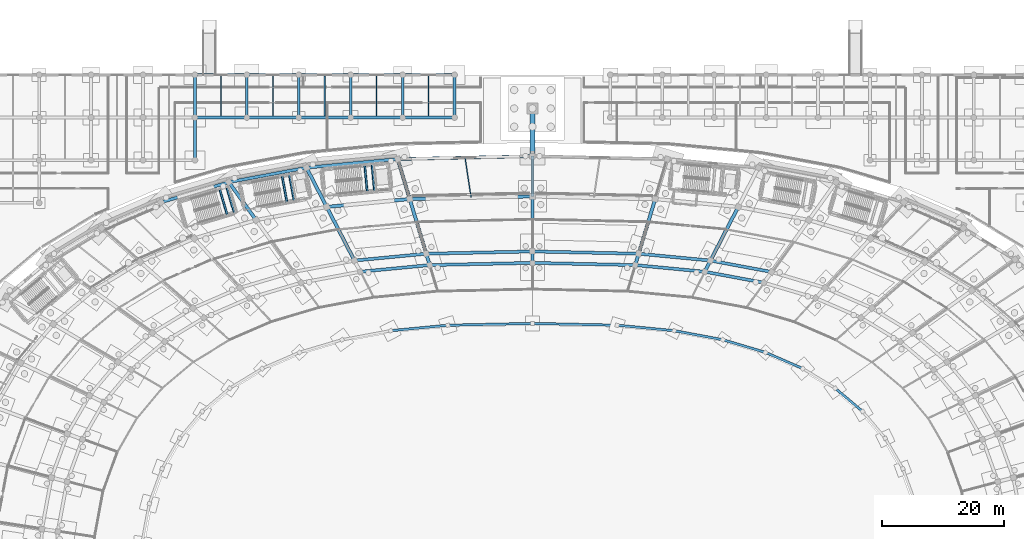
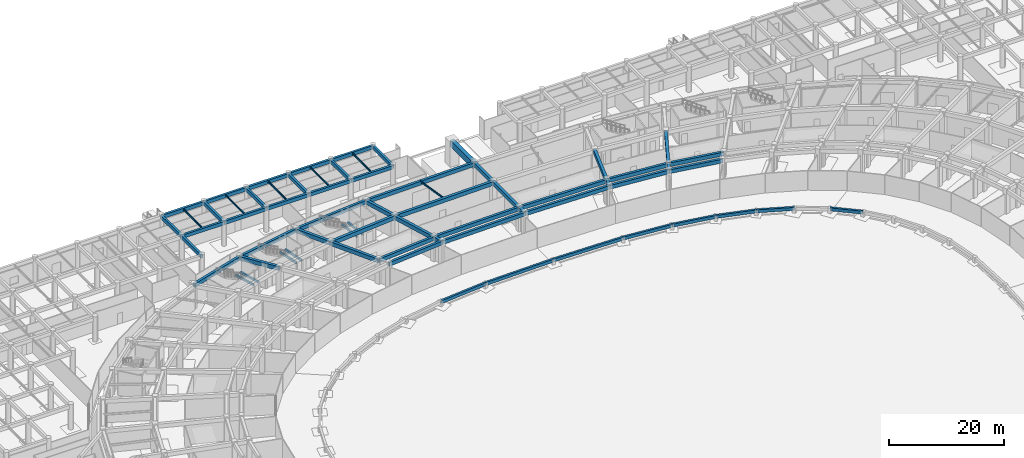
# One storey, part 35 of 88: 67 beams.
"""IFC4 building model written with IfcOpenShell, lengths in metres."""

from ifc_helpers import new_model, si_unit, direction, frame, origin, origin_2d, place, context, subcontext, project, spatial, rectangle, i_section, extrude, material, material_profile, profile_set, type_object, element, save


model = new_model("IFC4")

# Units and contexts
model_context = context("Model", 3, precision=1e-05, world=origin(), true_north=direction((0.0, 1.0)))
body_context = subcontext(model_context, "Body", "Model", "MODEL_VIEW")
ifc_project = project(units=[si_unit("LENGTHUNIT", "METRE"), si_unit("AREAUNIT", "SQUARE_METRE"), si_unit("VOLUMEUNIT", "CUBIC_METRE"), si_unit("PLANEANGLEUNIT", "RADIAN"), si_unit("MASSUNIT", "GRAM", prefix="KILO")], contexts=[model_context])

# Site, building, storey
site_placement = place(None, origin())
site = spatial("IfcSite", under=ifc_project, at=site_placement, CompositionType="ELEMENT")
building_placement = place(site_placement, origin())
building = spatial("IfcBuilding", under=site, at=building_placement, Name="Mphavela Belvedere Stadium", CompositionType="ELEMENT")
storey_placement = place(building_placement, origin())
storey = spatial("IfcBuildingStorey", under=building, at=storey_placement, Name="L00", CompositionType="ELEMENT", Elevation=0.0)

# Beams
ifc_material_1 = material(Name="Concrete C50/60", Category="concrete")
ifc_material_profile_1 = material_profile(ifc_material_1, rectangle(XDim=0.800048828125, YDim=1.39990234375, at=origin_2d()), Name="RC 800x1400")
ifc_profile_set_1 = profile_set([ifc_material_profile_1], Name="Concrete C50/60")
beam_type_1 = type_object("IfcBeamType", Name="BM-BUTTRESS-TIE-1400", PredefinedType="BEAM", material=ifc_profile_set_1)
beam_1_placement = place(storey_placement, frame((115.0, 160.669921875, 4.449951171875), z_axis=(0.0, 1.0, 0.0), x_axis=(-1.0, 0.0, 0.0)))
element("IfcBeam", 1, at=beam_1_placement, inside=storey, type_object=beam_type_1, Name="Mast buttress tie girder L00", PredefinedType="BEAM", context=body_context, shape_type="SweptSolid", body=[
    extrude(rectangle(XDim=0.800048828125, YDim=1.39990234375, at=origin_2d()), origin(), (0.0, 0.0, 1.0), 7.830078125),
])
ifc_material_2 = material(Name="Steel S355", Category="steel")
ifc_material_profile_2 = material_profile(ifc_material_2, i_section(OverallWidth=0.169921875, OverallDepth=0.360107421875, WebThickness=0.008056640625, FlangeThickness=0.0126953125, at=origin_2d()), Name="IPE 360")
ifc_profile_set_2 = profile_set([ifc_material_profile_2], Name="Steel S355")
beam_type_2 = type_object("IfcBeamType", Name="BM-JOIST-IPE360", PredefinedType="JOIST", material=ifc_profile_set_2)
beam_2_placement = place(storey_placement, frame((104.93359375, 153.850830078125, 4.969970703125), z_axis=(-0.148900105887, 0.98885224299, 0.0), x_axis=(-0.98885224299, -0.148900105887, 0.0)))
element("IfcBeam", 2, at=beam_2_placement, inside=storey, type_object=beam_type_2, Name="Concourse floor joist L00-13", PredefinedType="JOIST", context=body_context, shape_type="SweptSolid", body=[
    extrude(i_section(OverallWidth=0.169921875, OverallDepth=0.360107421875, WebThickness=0.008056640625, FlangeThickness=0.0126953125, at=origin_2d()), origin(), (0.0, 0.0, 1.0), 6.6552734375),
])
for number, where, z_axis, x_axis, name in (
    (3, (63.888916015625, 167.22509765625, 4.9599609375), (0.0, 1.0, 0.0), (-1.0, 0.0, 0.0), "North Mast and Ceremonial End Forecourt secondary joist L00 8-7"),
    (4, (72.407470703125, 167.22509765625, 4.9599609375), (0.0, 1.0, 0.0), (-1.0, 0.0, 0.0), "North Mast and Ceremonial End Forecourt secondary joist L00 9-7"),
    (5, (80.926025390625, 167.22509765625, 4.9599609375), (0.0, 1.0, 0.0), (-1.0, 0.0, 0.0), "North Mast and Ceremonial End Forecourt secondary joist L00 10-7"),
    (6, (89.444580078125, 167.22509765625, 4.9599609375), (0.0, 1.0, 0.0), (-1.0, 0.0, 0.0), "North Mast and Ceremonial End Forecourt secondary joist L00 11-7"),
    (7, (97.962890625, 167.22509765625, 4.9599609375), (0.0, 1.0, 0.0), (-1.0, 0.0, 0.0), "North Mast and Ceremonial End Forecourt secondary joist L00 12-7"),
):
    element("IfcBeam", number, at=place(storey_placement, frame(where, z_axis=z_axis, x_axis=x_axis)), inside=storey, type_object=beam_type_2, Name=name, PredefinedType="JOIST", context=body_context, shape_type="SweptSolid", body=[
        extrude(i_section(OverallWidth=0.169921875, OverallDepth=0.360107421875, WebThickness=0.008056640625, FlangeThickness=0.0126953125, at=origin_2d()), origin(), (0.0, 0.0, 1.0), 6.5498046875),
    ])
ifc_material_3 = material(Name="Concrete C40/50", Category="concrete")
ifc_material_profile_3 = material_profile(ifc_material_3, rectangle(XDim=0.300048828125, YDim=0.449951171875, at=origin_2d()), Name="RC 300x450")
ifc_profile_set_3 = profile_set([ifc_material_profile_3], Name="Concrete C40/50")
beam_type_3 = type_object("IfcBeamType", Name="BM-RC300x450", PredefinedType="BEAM", material=ifc_profile_set_3)
for number, where, z_axis, x_axis, name in (
    (8, (74.728515625, 153.078125, 2.27490234375), (-0.18307487535, 0.983098972645, 0.0), (-0.983098972645, -0.18307487535, 0.0), "Core C02 landing trimmer beam L00-1"),
    (9, (75.908203125, 153.2978515625, 2.27490234375), (-0.18307487535, 0.983098972645, 0.0), (-0.983098972645, -0.18307487535, 0.0), "Core C02 landing trimmer beam L00-2"),
):
    element("IfcBeam", number, at=place(storey_placement, frame(where, z_axis=z_axis, x_axis=x_axis)), inside=storey, type_object=beam_type_3, Name=name, PredefinedType="BEAM", context=body_context, shape_type="SweptSolid", body=[
        extrude(rectangle(XDim=0.300048828125, YDim=0.449951171875, at=origin_2d()), origin(), (0.0, 0.0, 1.0), 4.469970703125),
    ])
for number, where, z_axis, x_axis, name in (
    (10, (87.893798828125, 154.77294921875, 2.27490234375), (-0.094976620198, 0.995479503363, 0.0), (-0.995479503363, -0.094976620198, 0.0), "Core C04 landing trimmer beam L00-1"),
    (11, (89.08837890625, 154.886962890625, 2.27490234375), (-0.094976620198, 0.995479503363, 0.0), (-0.995479503363, -0.094976620198, 0.0), "Core C04 landing trimmer beam L00-2"),
):
    element("IfcBeam", number, at=place(storey_placement, frame(where, z_axis=z_axis, x_axis=x_axis)), inside=storey, type_object=beam_type_3, Name=name, PredefinedType="BEAM", context=body_context, shape_type="SweptSolid", body=[
        extrude(rectangle(XDim=0.300048828125, YDim=0.449951171875, at=origin_2d()), origin(), (0.0, 0.0, 1.0), 4.47021484375),
    ])
beam_3_placement = place(storey_placement, frame((64.94580078125, 150.971923828125, 2.27490234375), z_axis=(-0.284510445837, 0.958672940168, 0.0), x_axis=(-0.958672940168, -0.284510445837, 0.0)))
element("IfcBeam", 12, at=beam_3_placement, inside=storey, type_object=beam_type_3, Name="Core P03 landing trimmer beam L00-1", PredefinedType="BEAM", context=body_context, shape_type="SweptSolid", body=[
    extrude(rectangle(XDim=0.300048828125, YDim=0.449951171875, at=origin_2d()), origin(), (0.0, 0.0, 1.0), 4.469970703125),
])
beam_4_placement = place(storey_placement, frame((66.09619140625, 151.313232421875, 2.27490234375), z_axis=(-0.284495549112, 0.958677361022, 0.0), x_axis=(-0.958677361022, -0.284495549112, 0.0)))
element("IfcBeam", 13, at=beam_4_placement, inside=storey, type_object=beam_type_3, Name="Core P03 landing trimmer beam L00-2", PredefinedType="BEAM", context=body_context, shape_type="SweptSolid", body=[
    extrude(rectangle(XDim=0.300048828125, YDim=0.449951171875, at=origin_2d()), origin(), (0.0, 0.0, 1.0), 4.47021484375),
])
ifc_material_4 = material(Name="Concrete C40/50", Category="concrete")
ifc_material_profile_4 = material_profile(ifc_material_4, rectangle(XDim=0.39990234375, YDim=0.64990234375, at=origin_2d()), Name="RC 400x650")
ifc_profile_set_4 = profile_set([ifc_material_profile_4], Name="Concrete C40/50")
beam_type_4 = type_object("IfcBeamType", Name="BM-RC400x650", PredefinedType="BEAM", material=ifc_profile_set_4)
beam_5_placement = place(storey_placement, frame((169.1650390625, 118.77783203125, 0.824951171875), z_axis=(-0.764252578724, 0.644917045762, 0.0), x_axis=(-0.644917045762, -0.764252578724, 0.0)))
element("IfcBeam", 14, at=beam_5_placement, inside=storey, type_object=beam_type_4, Name="Lower tier plinth ring beam 06", PredefinedType="BEAM", context=body_context, shape_type="SweptSolid", body=[
    extrude(rectangle(XDim=0.39990234375, YDim=0.64990234375, at=origin_2d()), origin(), (0.0, 0.0, 1.0), 5.89599609375),
])
beam_6_placement = place(storey_placement, frame((159.351806640625, 125.80908203125, 0.824951171875), z_axis=(-0.917505783131, 0.397722438293, 0.0), x_axis=(-0.397722438293, -0.917505783131, 0.0)))
element("IfcBeam", 15, at=beam_6_placement, inside=storey, type_object=beam_type_4, Name="Lower tier plinth ring beam 08", PredefinedType="BEAM", context=body_context, shape_type="SweptSolid", body=[
    extrude(rectangle(XDim=0.39990234375, YDim=0.64990234375, at=origin_2d()), origin(), (0.0, 0.0, 1.0), 6.672607421875),
])
beam_7_placement = place(storey_placement, frame((153.229736328125, 128.462890625, 0.824951171875), z_axis=(-0.958662145349, 0.284546817018, 0.0), x_axis=(-0.284546817018, -0.958662145349, 0.0)))
element("IfcBeam", 16, at=beam_7_placement, inside=storey, type_object=beam_type_4, Name="Lower tier plinth ring beam 09", PredefinedType="BEAM", context=body_context, shape_type="SweptSolid", body=[
    extrude(rectangle(XDim=0.39990234375, YDim=0.64990234375, at=origin_2d()), origin(), (0.0, 0.0, 1.0), 7.287841796875),
])
beam_8_placement = place(storey_placement, frame((146.2431640625, 130.53662109375, 0.824951171875), z_axis=(-0.983092319169, 0.183110600433, 0.0), x_axis=(-0.183110600433, -0.983092319169, 0.0)))
element("IfcBeam", 17, at=beam_8_placement, inside=storey, type_object=beam_type_4, Name="Lower tier plinth ring beam 10", PredefinedType="BEAM", context=body_context, shape_type="SweptSolid", body=[
    extrude(rectangle(XDim=0.39990234375, YDim=0.64990234375, at=origin_2d()), origin(), (0.0, 0.0, 1.0), 8.12255859375),
])
beam_9_placement = place(storey_placement, frame((138.258056640625, 132.02392578125, 0.824951171875), z_axis=(-0.995485107266, 0.094917865605, 0.0), x_axis=(-0.094917865605, -0.995485107266, 0.0)))
element("IfcBeam", 18, at=beam_9_placement, inside=storey, type_object=beam_type_4, Name="Lower tier plinth ring beam 11", PredefinedType="BEAM", context=body_context, shape_type="SweptSolid", body=[
    extrude(rectangle(XDim=0.39990234375, YDim=0.64990234375, at=origin_2d()), origin(), (0.0, 0.0, 1.0), 9.4267578125),
])
for number, where, z_axis, x_axis, name in (
    (19, (128.873779296875, 132.918701171875, 0.824951171875), (-0.99976811519, 0.021534062558, 0.0), (-0.021534062558, -0.99976811519, 0.0), "Lower tier plinth ring beam 12"),
    (20, (115.0, 133.217529296875, 0.824951171875), (-0.99976811519, -0.021534062558, 0.0), (0.021534062558, -0.99976811519, 0.0), "Lower tier plinth ring beam 13"),
):
    element("IfcBeam", number, at=place(storey_placement, frame(where, z_axis=z_axis, x_axis=x_axis)), inside=storey, type_object=beam_type_4, Name=name, PredefinedType="BEAM", context=body_context, shape_type="SweptSolid", body=[
        extrude(rectangle(XDim=0.39990234375, YDim=0.64990234375, at=origin_2d()), origin(), (0.0, 0.0, 1.0), 13.876953125),
    ])
beam_10_placement = place(storey_placement, frame((101.126220703125, 132.918701171875, 0.824951171875), z_axis=(-0.995485107266, -0.094917865605, 0.0), x_axis=(0.094917865605, -0.995485107266, 0.0)))
element("IfcBeam", 21, at=beam_10_placement, inside=storey, type_object=beam_type_4, Name="Lower tier plinth ring beam 14", PredefinedType="BEAM", context=body_context, shape_type="SweptSolid", body=[
    extrude(rectangle(XDim=0.39990234375, YDim=0.64990234375, at=origin_2d()), origin(), (0.0, 0.0, 1.0), 9.4267578125),
])
ifc_material_5 = material(Name="Concrete C40/50", Category="concrete")
ifc_material_profile_5 = material_profile(ifc_material_5, rectangle(XDim=0.449951171875, YDim=0.75, at=origin_2d()), Name="RC 450x750")
ifc_profile_set_5 = profile_set([ifc_material_profile_5], Name="Concrete C40/50")
beam_type_5 = type_object("IfcBeamType", Name="BM-RC450x750", PredefinedType="BEAM", material=ifc_profile_set_5)
beam_11_placement = place(storey_placement, frame((59.6298828125, 160.0, 4.764892578125), z_axis=(0.0, 1.0, 0.0), x_axis=(-1.0, 0.0, 0.0)))
element("IfcBeam", 22, at=beam_11_placement, inside=storey, type_object=beam_type_5, Name="North Mast and Ceremonial End Forecourt entablature beam Y L00 8-6", PredefinedType="BEAM", context=body_context, shape_type="SweptSolid", body=[
    extrude(rectangle(XDim=0.449951171875, YDim=0.75, at=origin_2d()), origin(), (0.0, 0.0, 1.0), 7.0),
])
beam_12_placement = place(storey_placement, frame((59.6298828125, 167.0, 4.764892578125), z_axis=(1.0, 0.0, 0.0), x_axis=(0.0, 1.0, 0.0)))
element("IfcBeam", 23, at=beam_12_placement, inside=storey, type_object=beam_type_5, Name="North Mast and Ceremonial End Forecourt entablature beam X L00 8-7", PredefinedType="BEAM", context=body_context, shape_type="SweptSolid", body=[
    extrude(rectangle(XDim=0.449951171875, YDim=0.75, at=origin_2d()), origin(), (0.0, 0.0, 1.0), 8.51806640625),
])
beam_13_placement = place(storey_placement, frame((59.6298828125, 167.0, 4.764892578125), z_axis=(0.0, 1.0, 0.0), x_axis=(-1.0, 0.0, 0.0)))
element("IfcBeam", 24, at=beam_13_placement, inside=storey, type_object=beam_type_5, Name="North Mast and Ceremonial End Forecourt entablature beam Y L00 8-7", PredefinedType="BEAM", context=body_context, shape_type="SweptSolid", body=[
    extrude(rectangle(XDim=0.449951171875, YDim=0.75, at=origin_2d()), origin(), (0.0, 0.0, 1.0), 7.0),
])
beam_14_placement = place(storey_placement, frame((59.6298828125, 174.0, 4.764892578125), z_axis=(1.0, 0.0, 0.0), x_axis=(0.0, 1.0, 0.0)))
element("IfcBeam", 25, at=beam_14_placement, inside=storey, type_object=beam_type_5, Name="North Mast and Ceremonial End Forecourt entablature beam X L00 8-8", PredefinedType="BEAM", context=body_context, shape_type="SweptSolid", body=[
    extrude(rectangle(XDim=0.449951171875, YDim=0.75, at=origin_2d()), origin(), (0.0, 0.0, 1.0), 8.51806640625),
])
beam_15_placement = place(storey_placement, frame((68.14794921875, 167.0, 4.764892578125), z_axis=(1.0, 0.0, 0.0), x_axis=(0.0, 1.0, 0.0)))
element("IfcBeam", 26, at=beam_15_placement, inside=storey, type_object=beam_type_5, Name="North Mast and Ceremonial End Forecourt entablature beam X L00 9-7", PredefinedType="BEAM", context=body_context, shape_type="SweptSolid", body=[
    extrude(rectangle(XDim=0.449951171875, YDim=0.75, at=origin_2d()), origin(), (0.0, 0.0, 1.0), 8.51904296875),
])
beam_16_placement = place(storey_placement, frame((68.14794921875, 167.0, 4.764892578125), z_axis=(0.0, 1.0, 0.0), x_axis=(-1.0, 0.0, 0.0)))
element("IfcBeam", 27, at=beam_16_placement, inside=storey, type_object=beam_type_5, Name="North Mast and Ceremonial End Forecourt entablature beam Y L00 9-7", PredefinedType="BEAM", context=body_context, shape_type="SweptSolid", body=[
    extrude(rectangle(XDim=0.449951171875, YDim=0.75, at=origin_2d()), origin(), (0.0, 0.0, 1.0), 7.0),
])
beam_17_placement = place(storey_placement, frame((68.14794921875, 174.0, 4.764892578125), z_axis=(1.0, 0.0, 0.0), x_axis=(0.0, 1.0, 0.0)))
element("IfcBeam", 28, at=beam_17_placement, inside=storey, type_object=beam_type_5, Name="North Mast and Ceremonial End Forecourt entablature beam X L00 9-8", PredefinedType="BEAM", context=body_context, shape_type="SweptSolid", body=[
    extrude(rectangle(XDim=0.449951171875, YDim=0.75, at=origin_2d()), origin(), (0.0, 0.0, 1.0), 8.51904296875),
])
beam_18_placement = place(storey_placement, frame((76.6669921875, 167.0, 4.764892578125), z_axis=(1.0, 0.0, 0.0), x_axis=(0.0, 1.0, 0.0)))
element("IfcBeam", 29, at=beam_18_placement, inside=storey, type_object=beam_type_5, Name="North Mast and Ceremonial End Forecourt entablature beam X L00 10-7", PredefinedType="BEAM", context=body_context, shape_type="SweptSolid", body=[
    extrude(rectangle(XDim=0.449951171875, YDim=0.75, at=origin_2d()), origin(), (0.0, 0.0, 1.0), 8.51806640625),
])
beam_19_placement = place(storey_placement, frame((76.6669921875, 167.0, 4.764892578125), z_axis=(0.0, 1.0, 0.0), x_axis=(-1.0, 0.0, 0.0)))
element("IfcBeam", 30, at=beam_19_placement, inside=storey, type_object=beam_type_5, Name="North Mast and Ceremonial End Forecourt entablature beam Y L00 10-7", PredefinedType="BEAM", context=body_context, shape_type="SweptSolid", body=[
    extrude(rectangle(XDim=0.449951171875, YDim=0.75, at=origin_2d()), origin(), (0.0, 0.0, 1.0), 7.0),
])
beam_20_placement = place(storey_placement, frame((76.6669921875, 174.0, 4.764892578125), z_axis=(1.0, 0.0, 0.0), x_axis=(0.0, 1.0, 0.0)))
element("IfcBeam", 31, at=beam_20_placement, inside=storey, type_object=beam_type_5, Name="North Mast and Ceremonial End Forecourt entablature beam X L00 10-8", PredefinedType="BEAM", context=body_context, shape_type="SweptSolid", body=[
    extrude(rectangle(XDim=0.449951171875, YDim=0.75, at=origin_2d()), origin(), (0.0, 0.0, 1.0), 8.51806640625),
])
beam_21_placement = place(storey_placement, frame((85.18505859375, 167.0, 4.764892578125), z_axis=(1.0, 0.0, 0.0), x_axis=(0.0, 1.0, 0.0)))
element("IfcBeam", 32, at=beam_21_placement, inside=storey, type_object=beam_type_5, Name="North Mast and Ceremonial End Forecourt entablature beam X L00 11-7", PredefinedType="BEAM", context=body_context, shape_type="SweptSolid", body=[
    extrude(rectangle(XDim=0.449951171875, YDim=0.75, at=origin_2d()), origin(), (0.0, 0.0, 1.0), 8.51904296875),
])
beam_22_placement = place(storey_placement, frame((85.18505859375, 167.0, 4.764892578125), z_axis=(0.0, 1.0, 0.0), x_axis=(-1.0, 0.0, 0.0)))
element("IfcBeam", 33, at=beam_22_placement, inside=storey, type_object=beam_type_5, Name="North Mast and Ceremonial End Forecourt entablature beam Y L00 11-7", PredefinedType="BEAM", context=body_context, shape_type="SweptSolid", body=[
    extrude(rectangle(XDim=0.449951171875, YDim=0.75, at=origin_2d()), origin(), (0.0, 0.0, 1.0), 7.0),
])
beam_23_placement = place(storey_placement, frame((85.18505859375, 174.0, 4.764892578125), z_axis=(1.0, 0.0, 0.0), x_axis=(0.0, 1.0, 0.0)))
element("IfcBeam", 34, at=beam_23_placement, inside=storey, type_object=beam_type_5, Name="North Mast and Ceremonial End Forecourt entablature beam X L00 11-8", PredefinedType="BEAM", context=body_context, shape_type="SweptSolid", body=[
    extrude(rectangle(XDim=0.449951171875, YDim=0.75, at=origin_2d()), origin(), (0.0, 0.0, 1.0), 8.51904296875),
])
beam_24_placement = place(storey_placement, frame((93.7041015625, 167.0, 4.764892578125), z_axis=(1.0, 0.0, 0.0), x_axis=(0.0, 1.0, 0.0)))
element("IfcBeam", 35, at=beam_24_placement, inside=storey, type_object=beam_type_5, Name="North Mast and Ceremonial End Forecourt entablature beam X L00 12-7", PredefinedType="BEAM", context=body_context, shape_type="SweptSolid", body=[
    extrude(rectangle(XDim=0.449951171875, YDim=0.75, at=origin_2d()), origin(), (0.0, 0.0, 1.0), 8.517822265625),
])
beam_25_placement = place(storey_placement, frame((93.7041015625, 167.0, 4.764892578125), z_axis=(0.0, 1.0, 0.0), x_axis=(-1.0, 0.0, 0.0)))
element("IfcBeam", 36, at=beam_25_placement, inside=storey, type_object=beam_type_5, Name="North Mast and Ceremonial End Forecourt entablature beam Y L00 12-7", PredefinedType="BEAM", context=body_context, shape_type="SweptSolid", body=[
    extrude(rectangle(XDim=0.449951171875, YDim=0.75, at=origin_2d()), origin(), (0.0, 0.0, 1.0), 7.0),
])
beam_26_placement = place(storey_placement, frame((93.7041015625, 174.0, 4.764892578125), z_axis=(1.0, 0.0, 0.0), x_axis=(0.0, 1.0, 0.0)))
element("IfcBeam", 37, at=beam_26_placement, inside=storey, type_object=beam_type_5, Name="North Mast and Ceremonial End Forecourt entablature beam X L00 12-8", PredefinedType="BEAM", context=body_context, shape_type="SweptSolid", body=[
    extrude(rectangle(XDim=0.449951171875, YDim=0.75, at=origin_2d()), origin(), (0.0, 0.0, 1.0), 8.517822265625),
])
beam_27_placement = place(storey_placement, frame((102.221923828125, 167.0, 4.764892578125), z_axis=(0.0, 1.0, 0.0), x_axis=(-1.0, 0.0, 0.0)))
element("IfcBeam", 38, at=beam_27_placement, inside=storey, type_object=beam_type_5, Name="North Mast and Ceremonial End Forecourt entablature beam Y L00 13-7", PredefinedType="BEAM", context=body_context, shape_type="SweptSolid", body=[
    extrude(rectangle(XDim=0.449951171875, YDim=0.75, at=origin_2d()), origin(), (0.0, 0.0, 1.0), 7.0),
])
ifc_material_6 = material(Name="Concrete C40/50", Category="concrete")
ifc_material_profile_6 = material_profile(ifc_material_6, rectangle(XDim=0.5, YDim=0.800048828125, at=origin_2d()), Name="RC 500x800")
ifc_profile_set_6 = profile_set([ifc_material_profile_6], Name="Concrete C40/50")
beam_type_6 = type_object("IfcBeamType", Name="BM-RC500x800", PredefinedType="BEAM", material=ifc_profile_set_6)
beam_28_placement = place(storey_placement, frame((152.961669921875, 139.898681640625, 4.75), z_axis=(-0.983092994202, 0.183106976248, 0.0), x_axis=(-0.183106976248, -0.983092994202, 0.0)))
element("IfcBeam", 39, at=beam_28_placement, inside=storey, type_object=beam_type_6, Name="Circumferential girder L00 R1-10", PredefinedType="BEAM", context=body_context, shape_type="SweptSolid", body=[
    extrude(rectangle(XDim=0.5, YDim=0.800048828125, at=origin_2d()), origin(), (0.0, 0.0, 1.0), 9.869140625),
])
beam_29_placement = place(storey_placement, frame((154.230224609375, 141.66650390625, 4.75), z_axis=(-0.983098802226, 0.183075790485, 0.0), x_axis=(-0.183075790485, -0.983098802226, 0.0)))
element("IfcBeam", 40, at=beam_29_placement, inside=storey, type_object=beam_type_6, Name="Circumferential girder L00 R2-10", PredefinedType="BEAM", context=body_context, shape_type="SweptSolid", body=[
    extrude(rectangle(XDim=0.5, YDim=0.800048828125, at=origin_2d()), origin(), (0.0, 0.0, 1.0), 10.198974609375),
])
beam_30_placement = place(storey_placement, frame((143.25927734375, 141.705810546875, 4.75), z_axis=(-0.995485216305, 0.094916722014, 0.0), x_axis=(-0.094916722014, -0.995485216305, 0.0)))
element("IfcBeam", 41, at=beam_30_placement, inside=storey, type_object=beam_type_6, Name="Circumferential girder L00 R1-11", PredefinedType="BEAM", context=body_context, shape_type="SweptSolid", body=[
    extrude(rectangle(XDim=0.5, YDim=0.800048828125, at=origin_2d()), origin(), (0.0, 0.0, 1.0), 11.453857421875),
])
beam_31_placement = place(storey_placement, frame((144.20361328125, 143.53369140625, 4.75), z_axis=(-0.9954829494, 0.094940494283, 0.0), x_axis=(-0.094940494283, -0.9954829494, 0.0)))
element("IfcBeam", 42, at=beam_31_placement, inside=storey, type_object=beam_type_6, Name="Circumferential girder L00 R2-11", PredefinedType="BEAM", context=body_context, shape_type="SweptSolid", body=[
    extrude(rectangle(XDim=0.5, YDim=0.800048828125, at=origin_2d()), origin(), (0.0, 0.0, 1.0), 11.836669921875),
])
beam_32_placement = place(storey_placement, frame((131.857177734375, 142.79296875, 4.75), z_axis=(-0.9997681798, 0.021531062658, 0.0), x_axis=(-0.021531062658, -0.9997681798, 0.0)))
element("IfcBeam", 43, at=beam_32_placement, inside=storey, type_object=beam_type_6, Name="Circumferential girder L00 R1-12", PredefinedType="BEAM", context=body_context, shape_type="SweptSolid", body=[
    extrude(rectangle(XDim=0.5, YDim=0.800048828125, at=origin_2d()), origin(), (0.0, 0.0, 1.0), 16.861083984375),
])
beam_33_placement = place(storey_placement, frame((132.42041015625, 144.657470703125, 4.75), z_axis=(-0.999768385959, 0.021521487805, 0.0), x_axis=(-0.021521487805, -0.999768385959, 0.0)))
element("IfcBeam", 44, at=beam_33_placement, inside=storey, type_object=beam_type_6, Name="Circumferential girder L00 R2-12", PredefinedType="BEAM", context=body_context, shape_type="SweptSolid", body=[
    extrude(rectangle(XDim=0.5, YDim=0.800048828125, at=origin_2d()), origin(), (0.0, 0.0, 1.0), 17.424560546875),
])
beam_34_placement = place(storey_placement, frame((115.0, 143.156005859375, 4.75), z_axis=(-0.9997681798, -0.021531062658, 0.0), x_axis=(0.021531062658, -0.9997681798, 0.0)))
element("IfcBeam", 45, at=beam_34_placement, inside=storey, type_object=beam_type_6, Name="Circumferential girder L00 R1-13", PredefinedType="BEAM", context=body_context, shape_type="SweptSolid", body=[
    extrude(rectangle(XDim=0.5, YDim=0.800048828125, at=origin_2d()), origin(), (0.0, 0.0, 1.0), 16.861083984375),
])
beam_35_placement = place(storey_placement, frame((115.0, 145.032470703125, 4.75), z_axis=(-0.999768385959, -0.021521487805, 0.0), x_axis=(0.021521487805, -0.999768385959, 0.0)))
element("IfcBeam", 46, at=beam_35_placement, inside=storey, type_object=beam_type_6, Name="Circumferential girder L00 R2-13", PredefinedType="BEAM", context=body_context, shape_type="SweptSolid", body=[
    extrude(rectangle(XDim=0.5, YDim=0.800048828125, at=origin_2d()), origin(), (0.0, 0.0, 1.0), 17.424560546875),
])
beam_36_placement = place(storey_placement, frame((98.142822265625, 142.79296875, 4.75), z_axis=(-0.995485216305, -0.094916722014, 0.0), x_axis=(0.094916722014, -0.995485216305, 0.0)))
element("IfcBeam", 47, at=beam_36_placement, inside=storey, type_object=beam_type_6, Name="Circumferential girder L00 R1-14", PredefinedType="BEAM", context=body_context, shape_type="SweptSolid", body=[
    extrude(rectangle(XDim=0.5, YDim=0.800048828125, at=origin_2d()), origin(), (0.0, 0.0, 1.0), 11.453857421875),
])
beam_37_placement = place(storey_placement, frame((97.57958984375, 144.657470703125, 4.75), z_axis=(-0.9954829494, -0.094940494283, 0.0), x_axis=(0.094940494283, -0.9954829494, 0.0)))
element("IfcBeam", 48, at=beam_37_placement, inside=storey, type_object=beam_type_6, Name="Circumferential girder L00 R2-14", PredefinedType="BEAM", context=body_context, shape_type="SweptSolid", body=[
    extrude(rectangle(XDim=0.5, YDim=0.800048828125, at=origin_2d()), origin(), (0.0, 0.0, 1.0), 11.836669921875),
])
ifc_material_7 = material(Name="Concrete C40/50", Category="concrete")
ifc_material_profile_7 = material_profile(ifc_material_7, rectangle(XDim=0.550048828125, YDim=0.85009765625, at=origin_2d()), Name="RC 550x850")
ifc_profile_set_7 = profile_set([ifc_material_profile_7], Name="Concrete C40/50")
beam_type_7 = type_object("IfcBeamType", Name="BM-RC550x850", PredefinedType="BEAM", material=ifc_profile_set_7)
beam_38_placement = place(storey_placement, frame((143.25927734375, 141.705810546875, 4.72509765625), z_axis=(0.458993514161, 0.888439617508, 0.0), x_axis=(-0.888439617508, 0.458993514161, 0.0)))
element("IfcBeam", 49, at=beam_38_placement, inside=storey, type_object=beam_type_7, Name="Radial concourse girder L00 R1R2-11", PredefinedType="BEAM", context=body_context, shape_type="SweptSolid", body=[
    extrude(rectangle(XDim=0.550048828125, YDim=0.85009765625, at=origin_2d()), origin(), (0.0, 0.0, 1.0), 2.057373046875),
])
beam_39_placement = place(storey_placement, frame((144.20361328125, 143.53369140625, 4.72509765625), z_axis=(0.458944837734, 0.888464763464, 0.0), x_axis=(-0.888464763464, 0.458944837734, 0.0)))
element("IfcBeam", 50, at=beam_39_placement, inside=storey, type_object=beam_type_7, Name="Radial concourse girder L00 R2R3-11", PredefinedType="BEAM", context=body_context, shape_type="SweptSolid", body=[
    extrude(rectangle(XDim=0.550048828125, YDim=0.85009765625, at=origin_2d()), origin(), (0.0, 0.0, 1.0), 9.90673828125),
])
beam_40_placement = place(storey_placement, frame((131.857177734375, 142.79296875, 4.72509765625), z_axis=(0.289175820075, 0.957276002563, 0.0), x_axis=(-0.957276002563, 0.289175820075, 0.0)))
element("IfcBeam", 51, at=beam_40_placement, inside=storey, type_object=beam_type_7, Name="Radial concourse girder L00 R1R2-12", PredefinedType="BEAM", context=body_context, shape_type="SweptSolid", body=[
    extrude(rectangle(XDim=0.550048828125, YDim=0.85009765625, at=origin_2d()), origin(), (0.0, 0.0, 1.0), 1.94775390625),
])
beam_41_placement = place(storey_placement, frame((132.42041015625, 144.657470703125, 4.72509765625), z_axis=(0.289248589313, 0.95725401727, 0.0), x_axis=(-0.95725401727, 0.289248589313, 0.0)))
element("IfcBeam", 52, at=beam_41_placement, inside=storey, type_object=beam_type_7, Name="Radial concourse girder L00 R2R3-12", PredefinedType="BEAM", context=body_context, shape_type="SweptSolid", body=[
    extrude(rectangle(XDim=0.550048828125, YDim=0.85009765625, at=origin_2d()), origin(), (0.0, 0.0, 1.0), 9.37744140625),
])
beam_42_placement = place(storey_placement, frame((115.0, 154.0673828125, 4.72509765625), z_axis=(-0.999768427465, -0.02151955955, 0.0), x_axis=(0.02151955955, -0.999768427465, 0.0)))
element("IfcBeam", 53, at=beam_42_placement, inside=storey, type_object=beam_type_7, Name="Circumferential girder L00 R3-13", PredefinedType="BEAM", context=body_context, shape_type="SweptSolid", body=[
    extrude(rectangle(XDim=0.550048828125, YDim=0.85009765625, at=origin_2d()), origin(), (0.0, 0.0, 1.0), 20.137451171875),
])
beam_43_placement = place(storey_placement, frame((115.0, 143.156005859375, 4.72509765625), z_axis=(0.0, 1.0, 0.0), x_axis=(-1.0, 0.0, 0.0)))
element("IfcBeam", 54, at=beam_43_placement, inside=storey, type_object=beam_type_7, Name="Radial concourse girder L00 R1R2-13", PredefinedType="BEAM", context=body_context, shape_type="SweptSolid", body=[
    extrude(rectangle(XDim=0.550048828125, YDim=0.85009765625, at=origin_2d()), origin(), (0.0, 0.0, 1.0), 1.87646484375),
])
beam_44_placement = place(storey_placement, frame((115.0, 145.032470703125, 4.72509765625), z_axis=(0.0, 1.0, 0.0), x_axis=(-1.0, 0.0, 0.0)))
element("IfcBeam", 55, at=beam_44_placement, inside=storey, type_object=beam_type_7, Name="Radial concourse girder L00 R2R3-13", PredefinedType="BEAM", context=body_context, shape_type="SweptSolid", body=[
    extrude(rectangle(XDim=0.550048828125, YDim=0.85009765625, at=origin_2d()), origin(), (0.0, 0.0, 1.0), 9.034912109375),
])
beam_45_placement = place(storey_placement, frame((115.0, 154.0673828125, 4.72509765625), z_axis=(0.0, 1.0, 0.0), x_axis=(-1.0, 0.0, 0.0)))
element("IfcBeam", 56, at=beam_45_placement, inside=storey, type_object=beam_type_7, Name="Radial concourse girder L00 R3R4-13", PredefinedType="BEAM", context=body_context, shape_type="SweptSolid", body=[
    extrude(rectangle(XDim=0.550048828125, YDim=0.85009765625, at=origin_2d()), origin(), (0.0, 0.0, 1.0), 6.6025390625),
])
beam_46_placement = place(storey_placement, frame((94.8671875, 153.634033203125, 4.72509765625), z_axis=(-0.995483834103, -0.094931217412, 0.0), x_axis=(0.094931217412, -0.995483834103, 0.0)))
element("IfcBeam", 57, at=beam_46_placement, inside=storey, type_object=beam_type_7, Name="Circumferential girder L00 R3-14", PredefinedType="BEAM", context=body_context, shape_type="SweptSolid", body=[
    extrude(rectangle(XDim=0.550048828125, YDim=0.85009765625, at=origin_2d()), origin(), (0.0, 0.0, 1.0), 13.67919921875),
])
beam_47_placement = place(storey_placement, frame((98.142822265625, 142.79296875, 4.72509765625), z_axis=(-0.289175820075, 0.957276002563, 0.0), x_axis=(-0.957276002563, -0.289175820075, 0.0)))
element("IfcBeam", 58, at=beam_47_placement, inside=storey, type_object=beam_type_7, Name="Radial concourse girder L00 R1R2-14", PredefinedType="BEAM", context=body_context, shape_type="SweptSolid", body=[
    extrude(rectangle(XDim=0.550048828125, YDim=0.85009765625, at=origin_2d()), origin(), (0.0, 0.0, 1.0), 1.94775390625),
])
beam_48_placement = place(storey_placement, frame((97.57958984375, 144.657470703125, 4.72509765625), z_axis=(-0.289248589313, 0.95725401727, 0.0), x_axis=(-0.95725401727, -0.289248589313, 0.0)))
element("IfcBeam", 59, at=beam_48_placement, inside=storey, type_object=beam_type_7, Name="Radial concourse girder L00 R2R3-14", PredefinedType="BEAM", context=body_context, shape_type="SweptSolid", body=[
    extrude(rectangle(XDim=0.550048828125, YDim=0.85009765625, at=origin_2d()), origin(), (0.0, 0.0, 1.0), 9.37744140625),
])
beam_49_placement = place(storey_placement, frame((94.8671875, 153.634033203125, 4.72509765625), z_axis=(-0.28918755919, 0.95727245631, 0.0), x_axis=(-0.95727245631, -0.28918755919, 0.0)))
element("IfcBeam", 60, at=beam_49_placement, inside=storey, type_object=beam_type_7, Name="Radial concourse girder L00 R3R4-14", PredefinedType="BEAM", context=body_context, shape_type="SweptSolid", body=[
    extrude(rectangle(XDim=0.550048828125, YDim=0.85009765625, at=origin_2d()), origin(), (0.0, 0.0, 1.0), 6.8525390625),
])
beam_50_placement = place(storey_placement, frame((85.79638671875, 143.53369140625, 4.72509765625), z_axis=(-0.458944837734, 0.888464763464, 0.0), x_axis=(-0.888464763464, -0.458944837734, 0.0)))
element("IfcBeam", 61, at=beam_50_placement, inside=storey, type_object=beam_type_7, Name="Radial concourse girder L00 R2R3-15", PredefinedType="BEAM", context=body_context, shape_type="SweptSolid", body=[
    extrude(rectangle(XDim=0.550048828125, YDim=0.85009765625, at=origin_2d()), origin(), (0.0, 0.0, 1.0), 9.90673828125),
])
beam_51_placement = place(storey_placement, frame((81.249755859375, 152.33544921875, 4.72509765625), z_axis=(-0.458951286165, 0.888461432436, 0.0), x_axis=(-0.888461432436, -0.458951286165, 0.0)))
element("IfcBeam", 62, at=beam_51_placement, inside=storey, type_object=beam_type_7, Name="Radial concourse girder L00 R3R4-15", PredefinedType="BEAM", context=body_context, shape_type="SweptSolid", body=[
    extrude(rectangle(XDim=0.550048828125, YDim=0.85009765625, at=origin_2d()), origin(), (0.0, 0.0, 1.0), 7.2392578125),
])
beam_52_placement = place(storey_placement, frame((69.662109375, 150.177490234375, 4.72509765625), z_axis=(-0.583043812448, 0.812440713385, 0.0), x_axis=(-0.812440713385, -0.583043812448, 0.0)))
element("IfcBeam", 63, at=beam_52_placement, inside=storey, type_object=beam_type_7, Name="Radial concourse girder L00 R3R4-16", PredefinedType="BEAM", context=body_context, shape_type="SweptSolid", body=[
    extrude(rectangle(XDim=0.550048828125, YDim=0.85009765625, at=origin_2d()), origin(), (0.0, 0.0, 1.0), 7.6552734375),
])
ifc_material_8 = material(Name="Concrete C40/50", Category="concrete")
ifc_material_profile_8 = material_profile(ifc_material_8, rectangle(XDim=0.5, YDim=0.800048828125, at=origin_2d()), Name="RC 500x800")
ifc_profile_set_8 = profile_set([ifc_material_profile_8], Name="Concrete C40/50")
beam_type_8 = type_object("IfcBeamType", Name="BM-SPANDREL-800", PredefinedType="SPANDREL", material=ifc_profile_set_8)
beam_53_placement = place(storey_placement, frame((115.0, 160.669921875, 4.75), z_axis=(-0.999768359718, -0.021522706765, 0.0), x_axis=(0.021522706765, -0.999768359718, 0.0)))
element("IfcBeam", 64, at=beam_53_placement, inside=storey, type_object=beam_type_8, Name="Circumferential girder L00 R4-13", PredefinedType="SPANDREL", context=body_context, shape_type="SweptSolid", body=[
    extrude(rectangle(XDim=0.5, YDim=0.800048828125, at=origin_2d()), origin(), (0.0, 0.0, 1.0), 22.11962890625),
])
beam_54_placement = place(storey_placement, frame((92.885498046875, 160.19384765625, 4.75), z_axis=(-0.995483415661, -0.094935605244, 0.0), x_axis=(0.094935605244, -0.995483415661, 0.0)))
element("IfcBeam", 65, at=beam_54_placement, inside=storey, type_object=beam_type_8, Name="Circumferential girder L00 R4-14", PredefinedType="SPANDREL", context=body_context, shape_type="SweptSolid", body=[
    extrude(rectangle(XDim=0.5, YDim=0.800048828125, at=origin_2d()), origin(), (0.0, 0.0, 1.0), 15.026123046875),
])
beam_55_placement = place(storey_placement, frame((77.92724609375, 158.767333984375, 4.75), z_axis=(-0.983098571421, -0.183077029882, 0.0), x_axis=(0.183077029882, -0.983098571421, 0.0)))
element("IfcBeam", 66, at=beam_55_placement, inside=storey, type_object=beam_type_8, Name="Circumferential girder L00 R4-15", PredefinedType="SPANDREL", context=body_context, shape_type="SweptSolid", body=[
    extrude(rectangle(XDim=0.5, YDim=0.800048828125, at=origin_2d()), origin(), (0.0, 0.0, 1.0), 12.947265625),
])
beam_56_placement = place(storey_placement, frame((65.19873046875, 156.39697265625, 4.75), z_axis=(-0.958656362639, -0.284566298727, 0.0), x_axis=(0.284566298727, -0.958656362639, 0.0)))
element("IfcBeam", 67, at=beam_56_placement, inside=storey, type_object=beam_type_8, Name="Circumferential girder L00 R4-16", PredefinedType="SPANDREL", context=body_context, shape_type="SweptSolid", body=[
    extrude(rectangle(XDim=0.5, YDim=0.800048828125, at=origin_2d()), origin(), (0.0, 0.0, 1.0), 11.616455078125),
])

save(model, "model.ifc")
